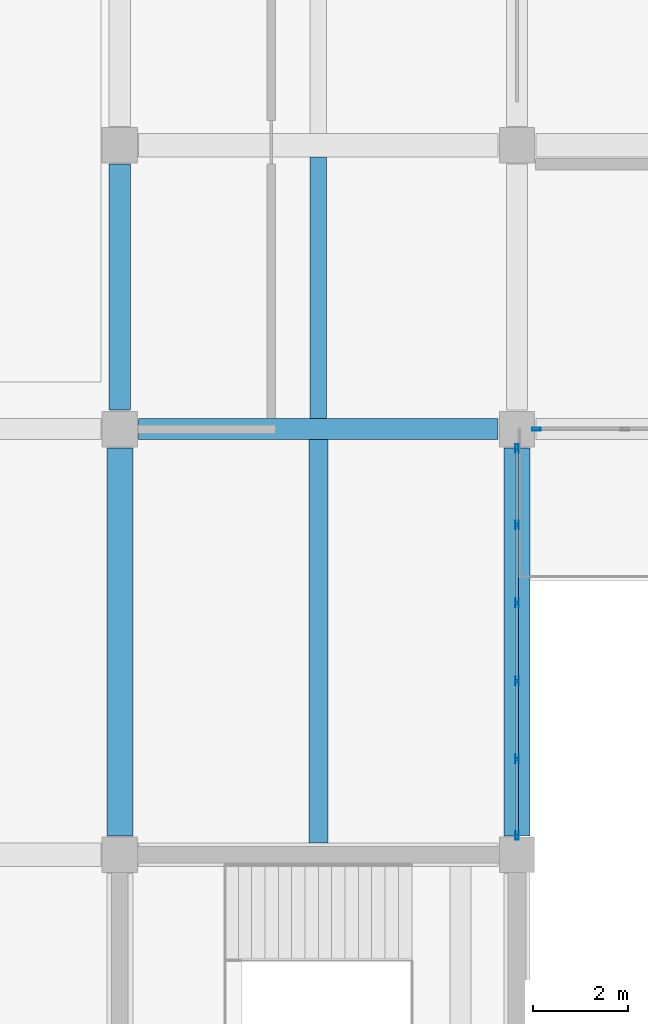
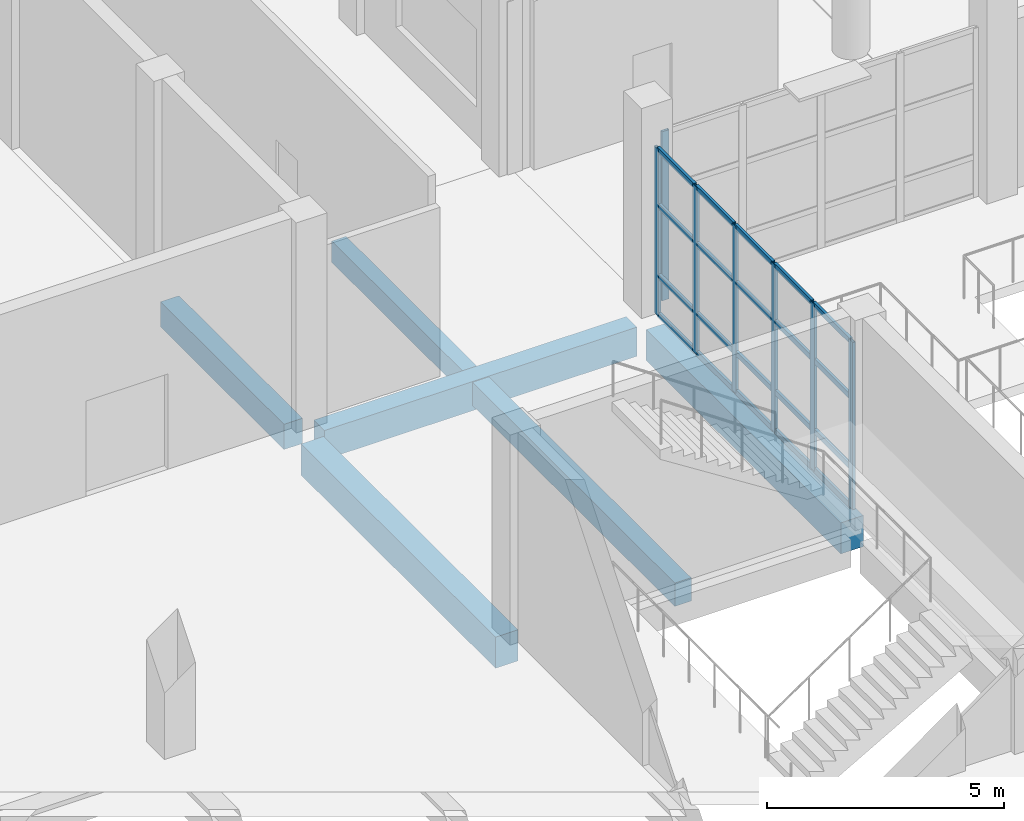
# One storey, part 10 of 78: 27 members, 6 beams, 2 elements without a shape of their own.
"""IFC4 building model written with IfcOpenShell, lengths in metres."""

from ifc_helpers import new_model, si_unit, direction, frame, origin, origin_2d, place, context, subcontext, project, spatial, rectangle, hollow_rectangle, extrude, material, material_profile, profile_set, type_object, element, aggregate, save


model = new_model("IFC4")

# Units and contexts
model_context = context("Model", 3, precision=1e-05, world=origin(), true_north=direction((0.0, 1.0)))
body_context = subcontext(model_context, "Body", "Model", "MODEL_VIEW")
ifc_project = project(units=[si_unit("LENGTHUNIT", "METRE"), si_unit("AREAUNIT", "SQUARE_METRE"), si_unit("VOLUMEUNIT", "CUBIC_METRE"), si_unit("PLANEANGLEUNIT", "RADIAN"), si_unit("MASSUNIT", "GRAM", prefix="KILO")], contexts=[model_context])

# Site, building, storey
site_placement = place(None, origin())
site = spatial("IfcSite", under=ifc_project, at=site_placement, CompositionType="ELEMENT")
building_placement = place(site_placement, origin())
building = spatial("IfcBuilding", under=site, at=building_placement, Name="Pellamere Symphony Hall", CompositionType="ELEMENT")
storey_placement = place(building_placement, origin())
storey = spatial("IfcBuildingStorey", under=building, at=storey_placement, Name="L00", CompositionType="ELEMENT", Elevation=0.0)

# Curtain wall, member
ifc_material_1 = material(Name="Thermally Broken Anodised Aluminium 6063-T6 Curtain Wall", Category="aluminium")
curtain_wall_type_1 = type_object("IfcCurtainWallType", Name="Curtain Wall CW-02 (Winter-Garden South Concourse Curtain Wall)", PredefinedType="NOTDEFINED", material=ifc_material_1)
curtain_wall_1_placement = place(storey_placement, origin())
curtain_wall_1 = element("IfcCurtainWall", 1, at=curtain_wall_1_placement, inside=storey, type_object=curtain_wall_type_1, Name="Winter-Garden South Curtain Wall (L00 Bay 1)", PredefinedType="NOTDEFINED")
ifc_material_2 = material(Name="Anodised Architectural Aluminium 6063-T6", Category="aluminium")
ifc_material_profile_1 = material_profile(ifc_material_2, hollow_rectangle(XDim=0.06494140625, YDim=0.179931640625, WallThickness=0.00390625, at=origin_2d()), Name="ALU-M65X180X4")
ifc_profile_set_1 = profile_set([ifc_material_profile_1], Name="Anodised Architectural Aluminium 6063-T6")
member_type_1 = type_object("IfcMemberType", Name="Curtain Wall Mullion ML-02 ALU-M65X180X4", PredefinedType="MULLION", material=ifc_profile_set_1)
member_1_placement = place(storey_placement, frame((42.407470703125, 18.0, 0.0), z_axis=(0.0, 0.0, 1.0), x_axis=(0.0, 1.0, 0.0)))
member_1 = element("IfcMember", 2, at=member_1_placement, type_object=member_type_1, Name="CW2-064 crystal mullion 1", PredefinedType="MULLION", context=body_context, shape_type="SweptSolid", body=[
    extrude(hollow_rectangle(XDim=0.06494140625, YDim=0.179931640625, WallThickness=0.00390625, at=origin_2d()), origin(), (0.0, 0.0, 1.0), 4.35009765625),
])
aggregate(curtain_wall_1, [member_1])

# Curtain wall, members
curtain_wall_type_2 = type_object("IfcCurtainWallType", Name="Curtain Wall CW-04 (Chamber Music Lobby Curtain Wall)", PredefinedType="NOTDEFINED", material=ifc_material_1)
curtain_wall_2_placement = place(storey_placement, origin())
curtain_wall_2 = element("IfcCurtainWall", 3, at=curtain_wall_2_placement, inside=storey, type_object=curtain_wall_type_2, Name="Chamber Forecourt East Curtain Wall (L00 Bay 1)", PredefinedType="NOTDEFINED")
member_2_placement = place(storey_placement, frame((42.0, 9.407470703125, 0.0), z_axis=(0.0, 0.0, 1.0), x_axis=(-1.0, 0.0, 0.0)))
member_2 = element("IfcMember", 4, at=member_2_placement, type_object=member_type_1, Name="CW4E-109 crystal mullion 1", PredefinedType="MULLION", context=body_context, shape_type="SweptSolid", body=[
    extrude(hollow_rectangle(XDim=0.06494140625, YDim=0.179931640625, WallThickness=0.00390625, at=origin_2d()), origin(), (0.0, 0.0, 1.0), 4.300048828125),
])
member_3_placement = place(storey_placement, frame((42.0, 11.02490234375, 0.0), z_axis=(0.0, 0.0, 1.0), x_axis=(-1.0, 0.0, 0.0)))
member_3 = element("IfcMember", 5, at=member_3_placement, type_object=member_type_1, Name="CW4E-109 crystal mullion 2", PredefinedType="MULLION", context=body_context, shape_type="SweptSolid", body=[
    extrude(hollow_rectangle(XDim=0.06494140625, YDim=0.179931640625, WallThickness=0.00390625, at=origin_2d()), origin(), (0.0, 0.0, 1.0), 4.300048828125),
])
member_4_placement = place(storey_placement, frame((42.0, 12.675048828125, 0.0), z_axis=(0.0, 0.0, 1.0), x_axis=(-1.0, 0.0, 0.0)))
member_4 = element("IfcMember", 6, at=member_4_placement, type_object=member_type_1, Name="CW4E-109 crystal mullion 3", PredefinedType="MULLION", context=body_context, shape_type="SweptSolid", body=[
    extrude(hollow_rectangle(XDim=0.06494140625, YDim=0.179931640625, WallThickness=0.00390625, at=origin_2d()), origin(), (0.0, 0.0, 1.0), 4.300048828125),
])
member_5_placement = place(storey_placement, frame((42.0, 14.324951171875, 0.0), z_axis=(0.0, 0.0, 1.0), x_axis=(-1.0, 0.0, 0.0)))
member_5 = element("IfcMember", 7, at=member_5_placement, type_object=member_type_1, Name="CW4E-109 crystal mullion 4", PredefinedType="MULLION", context=body_context, shape_type="SweptSolid", body=[
    extrude(hollow_rectangle(XDim=0.06494140625, YDim=0.179931640625, WallThickness=0.00390625, at=origin_2d()), origin(), (0.0, 0.0, 1.0), 4.300048828125),
])
member_6_placement = place(storey_placement, frame((42.0, 15.97509765625, 0.0), z_axis=(0.0, 0.0, 1.0), x_axis=(-1.0, 0.0, 0.0)))
member_6 = element("IfcMember", 8, at=member_6_placement, type_object=member_type_1, Name="CW4E-109 crystal mullion 5", PredefinedType="MULLION", context=body_context, shape_type="SweptSolid", body=[
    extrude(hollow_rectangle(XDim=0.06494140625, YDim=0.179931640625, WallThickness=0.00390625, at=origin_2d()), origin(), (0.0, 0.0, 1.0), 4.300048828125),
])
member_7_placement = place(storey_placement, frame((42.0, 17.592529296875, 0.0), z_axis=(0.0, 0.0, 1.0), x_axis=(-1.0, 0.0, 0.0)))
member_7 = element("IfcMember", 9, at=member_7_placement, type_object=member_type_1, Name="CW4E-109 crystal mullion 6", PredefinedType="MULLION", context=body_context, shape_type="SweptSolid", body=[
    extrude(hollow_rectangle(XDim=0.06494140625, YDim=0.179931640625, WallThickness=0.00390625, at=origin_2d()), origin(), (0.0, 0.0, 1.0), 4.300048828125),
])
ifc_material_profile_2 = material_profile(ifc_material_2, hollow_rectangle(XDim=0.06494140625, YDim=0.139892578125, WallThickness=0.00390625, at=origin_2d()), Name="ALU-T65X140X4")
ifc_profile_set_2 = profile_set([ifc_material_profile_2], Name="Anodised Architectural Aluminium 6063-T6")
member_type_2 = type_object("IfcMemberType", Name="Curtain Wall Transom TR-02 ALU-T65X140X4", PredefinedType="USERDEFINED", material=ifc_profile_set_2)
member_8_placement = place(storey_placement, frame((42.0, 9.43994140625, 0.032470703125), z_axis=(0.0, 1.0, 0.0), x_axis=(-1.0, 0.0, 0.0)))
member_8 = element("IfcMember", 10, at=member_8_placement, type_object=member_type_2, Name="CW4E-109 crystal transom 1.1", ObjectType="TRANSOM", PredefinedType="USERDEFINED", context=body_context, shape_type="SweptSolid", body=[
    extrude(hollow_rectangle(XDim=0.06494140625, YDim=0.139892578125, WallThickness=0.00390625, at=origin_2d()), origin(), (0.0, 0.0, 1.0), 1.552490234375),
])
member_9_placement = place(storey_placement, frame((42.0, 9.43994140625, 1.031982421875), z_axis=(0.0, 1.0, 0.0), x_axis=(-1.0, 0.0, 0.0)))
member_9 = element("IfcMember", 11, at=member_9_placement, type_object=member_type_2, Name="CW4E-109 crystal transom 1.2", ObjectType="TRANSOM", PredefinedType="USERDEFINED", context=body_context, shape_type="SweptSolid", body=[
    extrude(hollow_rectangle(XDim=0.06494140625, YDim=0.139892578125, WallThickness=0.00390625, at=origin_2d()), origin(), (0.0, 0.0, 1.0), 1.552490234375),
])
member_10_placement = place(storey_placement, frame((42.0, 9.43994140625, 2.837890625), z_axis=(0.0, 1.0, 0.0), x_axis=(-1.0, 0.0, 0.0)))
member_10 = element("IfcMember", 12, at=member_10_placement, type_object=member_type_2, Name="CW4E-109 crystal transom 1.3", ObjectType="TRANSOM", PredefinedType="USERDEFINED", context=body_context, shape_type="SweptSolid", body=[
    extrude(hollow_rectangle(XDim=0.06494140625, YDim=0.139892578125, WallThickness=0.00390625, at=origin_2d()), origin(), (0.0, 0.0, 1.0), 1.552490234375),
])
member_11_placement = place(storey_placement, frame((42.0, 9.43994140625, 4.267578125), z_axis=(0.0, 1.0, 0.0), x_axis=(-1.0, 0.0, 0.0)))
member_11 = element("IfcMember", 13, at=member_11_placement, type_object=member_type_2, Name="CW4E-109 crystal transom 1.4", ObjectType="TRANSOM", PredefinedType="USERDEFINED", context=body_context, shape_type="SweptSolid", body=[
    extrude(hollow_rectangle(XDim=0.06494140625, YDim=0.139892578125, WallThickness=0.00390625, at=origin_2d()), origin(), (0.0, 0.0, 1.0), 1.552490234375),
])
member_12_placement = place(storey_placement, frame((42.0, 11.0576171875, 0.032470703125), z_axis=(0.0, 1.0, 0.0), x_axis=(-1.0, 0.0, 0.0)))
member_12 = element("IfcMember", 14, at=member_12_placement, type_object=member_type_2, Name="CW4E-109 crystal transom 2.1", ObjectType="TRANSOM", PredefinedType="USERDEFINED", context=body_context, shape_type="SweptSolid", body=[
    extrude(hollow_rectangle(XDim=0.06494140625, YDim=0.139892578125, WallThickness=0.00390625, at=origin_2d()), origin(), (0.0, 0.0, 1.0), 1.5849609375),
])
member_13_placement = place(storey_placement, frame((42.0, 11.0576171875, 1.031982421875), z_axis=(0.0, 1.0, 0.0), x_axis=(-1.0, 0.0, 0.0)))
member_13 = element("IfcMember", 15, at=member_13_placement, type_object=member_type_2, Name="CW4E-109 crystal transom 2.2", ObjectType="TRANSOM", PredefinedType="USERDEFINED", context=body_context, shape_type="SweptSolid", body=[
    extrude(hollow_rectangle(XDim=0.06494140625, YDim=0.139892578125, WallThickness=0.00390625, at=origin_2d()), origin(), (0.0, 0.0, 1.0), 1.5849609375),
])
member_14_placement = place(storey_placement, frame((42.0, 11.0576171875, 2.837890625), z_axis=(0.0, 1.0, 0.0), x_axis=(-1.0, 0.0, 0.0)))
member_14 = element("IfcMember", 16, at=member_14_placement, type_object=member_type_2, Name="CW4E-109 crystal transom 2.3", ObjectType="TRANSOM", PredefinedType="USERDEFINED", context=body_context, shape_type="SweptSolid", body=[
    extrude(hollow_rectangle(XDim=0.06494140625, YDim=0.139892578125, WallThickness=0.00390625, at=origin_2d()), origin(), (0.0, 0.0, 1.0), 1.5849609375),
])
member_15_placement = place(storey_placement, frame((42.0, 11.0576171875, 4.267578125), z_axis=(0.0, 1.0, 0.0), x_axis=(-1.0, 0.0, 0.0)))
member_15 = element("IfcMember", 17, at=member_15_placement, type_object=member_type_2, Name="CW4E-109 crystal transom 2.4", ObjectType="TRANSOM", PredefinedType="USERDEFINED", context=body_context, shape_type="SweptSolid", body=[
    extrude(hollow_rectangle(XDim=0.06494140625, YDim=0.139892578125, WallThickness=0.00390625, at=origin_2d()), origin(), (0.0, 0.0, 1.0), 1.5849609375),
])
member_16_placement = place(storey_placement, frame((42.0, 12.70751953125, 0.032470703125), z_axis=(0.0, 1.0, 0.0), x_axis=(-1.0, 0.0, 0.0)))
member_16 = element("IfcMember", 18, at=member_16_placement, type_object=member_type_2, Name="CW4E-109 crystal transom 3.1", ObjectType="TRANSOM", PredefinedType="USERDEFINED", context=body_context, shape_type="SweptSolid", body=[
    extrude(hollow_rectangle(XDim=0.06494140625, YDim=0.139892578125, WallThickness=0.00390625, at=origin_2d()), origin(), (0.0, 0.0, 1.0), 1.5849609375),
])
member_17_placement = place(storey_placement, frame((42.0, 12.70751953125, 1.031982421875), z_axis=(0.0, 1.0, 0.0), x_axis=(-1.0, 0.0, 0.0)))
member_17 = element("IfcMember", 19, at=member_17_placement, type_object=member_type_2, Name="CW4E-109 crystal transom 3.2", ObjectType="TRANSOM", PredefinedType="USERDEFINED", context=body_context, shape_type="SweptSolid", body=[
    extrude(hollow_rectangle(XDim=0.06494140625, YDim=0.139892578125, WallThickness=0.00390625, at=origin_2d()), origin(), (0.0, 0.0, 1.0), 1.5849609375),
])
member_18_placement = place(storey_placement, frame((42.0, 12.70751953125, 2.837890625), z_axis=(0.0, 1.0, 0.0), x_axis=(-1.0, 0.0, 0.0)))
member_18 = element("IfcMember", 20, at=member_18_placement, type_object=member_type_2, Name="CW4E-109 crystal transom 3.3", ObjectType="TRANSOM", PredefinedType="USERDEFINED", context=body_context, shape_type="SweptSolid", body=[
    extrude(hollow_rectangle(XDim=0.06494140625, YDim=0.139892578125, WallThickness=0.00390625, at=origin_2d()), origin(), (0.0, 0.0, 1.0), 1.5849609375),
])
member_19_placement = place(storey_placement, frame((42.0, 12.70751953125, 4.267578125), z_axis=(0.0, 1.0, 0.0), x_axis=(-1.0, 0.0, 0.0)))
member_19 = element("IfcMember", 21, at=member_19_placement, type_object=member_type_2, Name="CW4E-109 crystal transom 3.4", ObjectType="TRANSOM", PredefinedType="USERDEFINED", context=body_context, shape_type="SweptSolid", body=[
    extrude(hollow_rectangle(XDim=0.06494140625, YDim=0.139892578125, WallThickness=0.00390625, at=origin_2d()), origin(), (0.0, 0.0, 1.0), 1.5849609375),
])
member_20_placement = place(storey_placement, frame((42.0, 14.357421875, 0.032470703125), z_axis=(0.0, 1.0, 0.0), x_axis=(-1.0, 0.0, 0.0)))
member_20 = element("IfcMember", 22, at=member_20_placement, type_object=member_type_2, Name="CW4E-109 crystal transom 4.1", ObjectType="TRANSOM", PredefinedType="USERDEFINED", context=body_context, shape_type="SweptSolid", body=[
    extrude(hollow_rectangle(XDim=0.06494140625, YDim=0.139892578125, WallThickness=0.00390625, at=origin_2d()), origin(), (0.0, 0.0, 1.0), 1.5849609375),
])
member_21_placement = place(storey_placement, frame((42.0, 14.357421875, 1.031982421875), z_axis=(0.0, 1.0, 0.0), x_axis=(-1.0, 0.0, 0.0)))
member_21 = element("IfcMember", 23, at=member_21_placement, type_object=member_type_2, Name="CW4E-109 crystal transom 4.2", ObjectType="TRANSOM", PredefinedType="USERDEFINED", context=body_context, shape_type="SweptSolid", body=[
    extrude(hollow_rectangle(XDim=0.06494140625, YDim=0.139892578125, WallThickness=0.00390625, at=origin_2d()), origin(), (0.0, 0.0, 1.0), 1.5849609375),
])
member_22_placement = place(storey_placement, frame((42.0, 14.357421875, 2.837890625), z_axis=(0.0, 1.0, 0.0), x_axis=(-1.0, 0.0, 0.0)))
member_22 = element("IfcMember", 24, at=member_22_placement, type_object=member_type_2, Name="CW4E-109 crystal transom 4.3", ObjectType="TRANSOM", PredefinedType="USERDEFINED", context=body_context, shape_type="SweptSolid", body=[
    extrude(hollow_rectangle(XDim=0.06494140625, YDim=0.139892578125, WallThickness=0.00390625, at=origin_2d()), origin(), (0.0, 0.0, 1.0), 1.5849609375),
])
member_23_placement = place(storey_placement, frame((42.0, 14.357421875, 4.267578125), z_axis=(0.0, 1.0, 0.0), x_axis=(-1.0, 0.0, 0.0)))
member_23 = element("IfcMember", 25, at=member_23_placement, type_object=member_type_2, Name="CW4E-109 crystal transom 4.4", ObjectType="TRANSOM", PredefinedType="USERDEFINED", context=body_context, shape_type="SweptSolid", body=[
    extrude(hollow_rectangle(XDim=0.06494140625, YDim=0.139892578125, WallThickness=0.00390625, at=origin_2d()), origin(), (0.0, 0.0, 1.0), 1.5849609375),
])
member_24_placement = place(storey_placement, frame((42.0, 16.007568359375, 0.032470703125), z_axis=(0.0, 1.0, 0.0), x_axis=(-1.0, 0.0, 0.0)))
member_24 = element("IfcMember", 26, at=member_24_placement, type_object=member_type_2, Name="CW4E-109 crystal transom 5.1", ObjectType="TRANSOM", PredefinedType="USERDEFINED", context=body_context, shape_type="SweptSolid", body=[
    extrude(hollow_rectangle(XDim=0.06494140625, YDim=0.139892578125, WallThickness=0.00390625, at=origin_2d()), origin(), (0.0, 0.0, 1.0), 1.552490234375),
])
member_25_placement = place(storey_placement, frame((42.0, 16.007568359375, 1.031982421875), z_axis=(0.0, 1.0, 0.0), x_axis=(-1.0, 0.0, 0.0)))
member_25 = element("IfcMember", 27, at=member_25_placement, type_object=member_type_2, Name="CW4E-109 crystal transom 5.2", ObjectType="TRANSOM", PredefinedType="USERDEFINED", context=body_context, shape_type="SweptSolid", body=[
    extrude(hollow_rectangle(XDim=0.06494140625, YDim=0.139892578125, WallThickness=0.00390625, at=origin_2d()), origin(), (0.0, 0.0, 1.0), 1.552490234375),
])
member_26_placement = place(storey_placement, frame((42.0, 16.007568359375, 2.837890625), z_axis=(0.0, 1.0, 0.0), x_axis=(-1.0, 0.0, 0.0)))
member_26 = element("IfcMember", 28, at=member_26_placement, type_object=member_type_2, Name="CW4E-109 crystal transom 5.3", ObjectType="TRANSOM", PredefinedType="USERDEFINED", context=body_context, shape_type="SweptSolid", body=[
    extrude(hollow_rectangle(XDim=0.06494140625, YDim=0.139892578125, WallThickness=0.00390625, at=origin_2d()), origin(), (0.0, 0.0, 1.0), 1.552490234375),
])
member_27_placement = place(storey_placement, frame((42.0, 16.007568359375, 4.267578125), z_axis=(0.0, 1.0, 0.0), x_axis=(-1.0, 0.0, 0.0)))
member_27 = element("IfcMember", 29, at=member_27_placement, type_object=member_type_2, Name="CW4E-109 crystal transom 5.4", ObjectType="TRANSOM", PredefinedType="USERDEFINED", context=body_context, shape_type="SweptSolid", body=[
    extrude(hollow_rectangle(XDim=0.06494140625, YDim=0.139892578125, WallThickness=0.00390625, at=origin_2d()), origin(), (0.0, 0.0, 1.0), 1.552490234375),
])
aggregate(curtain_wall_2, [member_2, member_3, member_4, member_5, member_6, member_7, member_8, member_9, member_10, member_11, member_12, member_13, member_14, member_15, member_16, member_17, member_18, member_19, member_20, member_21, member_22, member_23, member_24, member_25, member_26, member_27])

# Beams
ifc_material_3 = material(Name="Concrete 40 MPa", Category="concrete")
ifc_material_profile_3 = material_profile(ifc_material_3, rectangle(XDim=0.550048828125, YDim=0.800048828125, at=origin_2d()), Name="RC 550x800")
ifc_profile_set_3 = profile_set([ifc_material_profile_3], Name="Concrete 40 MPa")
beam_type_1 = type_object("IfcBeamType", Name="RC CB-05 550x800", PredefinedType="BEAM", material=ifc_profile_set_3)
for number, where, z_axis, x_axis, name in (
    (30, (33.60009765625, 9.39990234375, -0.699951171875), (0.0, 1.0, 0.0), (-1.0, 0.0, 0.0), "Girder CB-05-Y0220 (L00)"),
    (31, (42.0, 9.39990234375, -0.699951171875), (0.0, 1.0, 0.0), (-1.0, 0.0, 0.0), "Girder CB-05-Y0227 (L00)"),
):
    element("IfcBeam", number, at=place(storey_placement, frame(where, z_axis=z_axis, x_axis=x_axis)), inside=storey, type_object=beam_type_1, Name=name, PredefinedType="BEAM", context=body_context, shape_type="SweptSolid", body=[
        extrude(rectangle(XDim=0.550048828125, YDim=0.800048828125, at=origin_2d()), origin(), (0.0, 0.0, 1.0), 8.2001953125),
    ])
ifc_material_profile_4 = material_profile(ifc_material_3, rectangle(XDim=0.449951171875, YDim=0.64990234375, at=origin_2d()), Name="RC 450x650")
ifc_profile_set_4 = profile_set([ifc_material_profile_4], Name="Concrete 40 MPa")
beam_type_2 = type_object("IfcBeamType", Name="RC CB-08 450x650", PredefinedType="BEAM", material=ifc_profile_set_4)
beam_1_placement = place(storey_placement, frame((33.60009765625, 18.39990234375, -0.625), z_axis=(0.0, 1.0, 0.0), x_axis=(-1.0, 0.0, 0.0)))
element("IfcBeam", 32, at=beam_1_placement, inside=storey, type_object=beam_type_2, Name="Girder CB-08-Y0221 (L00)", PredefinedType="BEAM", context=body_context, shape_type="SweptSolid", body=[
    extrude(rectangle(XDim=0.449951171875, YDim=0.64990234375, at=origin_2d()), origin(), (0.0, 0.0, 1.0), 5.2001953125),
])
ifc_material_profile_5 = material_profile(ifc_material_3, rectangle(XDim=0.39990234375, YDim=0.60009765625, at=origin_2d()), Name="RC 400x600")
ifc_profile_set_5 = profile_set([ifc_material_profile_5], Name="Concrete 40 MPa")
beam_type_3 = type_object("IfcBeamType", Name="RC CB-09 400x600", PredefinedType="BEAM", material=ifc_profile_set_5)
beam_2_placement = place(storey_placement, frame((37.800048828125, 9.25, -0.614990234375), z_axis=(0.0, 1.0, 0.0), x_axis=(-1.0, 0.0, 0.0)))
element("IfcBeam", 33, at=beam_2_placement, inside=storey, type_object=beam_type_3, Name="Secondary Floor Beam CB-09-M0401 (L00)", PredefinedType="BEAM", context=body_context, shape_type="SweptSolid", body=[
    extrude(rectangle(XDim=0.39990234375, YDim=0.60009765625, at=origin_2d()), origin(), (0.0, 0.0, 1.0), 8.52490234375),
])
ifc_material_4 = material(Name="Concrete 35 MPa", Category="concrete")
ifc_material_profile_6 = material_profile(ifc_material_4, rectangle(XDim=0.35009765625, YDim=0.550048828125, at=origin_2d()), Name="RC 350x550")
ifc_profile_set_6 = profile_set([ifc_material_profile_6], Name="Concrete 35 MPa")
beam_type_4 = type_object("IfcBeamType", Name="RC CB-10 350x550", PredefinedType="BEAM", material=ifc_profile_set_6)
beam_3_placement = place(storey_placement, frame((37.800048828125, 18.22509765625, -0.590087890625), z_axis=(0.0, 1.0, 0.0), x_axis=(-1.0, 0.0, 0.0)))
element("IfcBeam", 34, at=beam_3_placement, inside=storey, type_object=beam_type_4, Name="Secondary Floor Beam CB-10-M0402 (L00)", PredefinedType="BEAM", context=body_context, shape_type="SweptSolid", body=[
    extrude(rectangle(XDim=0.35009765625, YDim=0.550048828125, at=origin_2d()), origin(), (0.0, 0.0, 1.0), 5.52490234375),
])
ifc_material_profile_7 = material_profile(ifc_material_3, rectangle(XDim=0.449951171875, YDim=0.75, at=origin_2d()), Name="RC 450x750")
ifc_profile_set_7 = profile_set([ifc_material_profile_7], Name="Concrete 40 MPa")
beam_type_5 = type_object("IfcBeamType", Name="RC CB-12 450x750", PredefinedType="SPANDREL", material=ifc_profile_set_7)
beam_4_placement = place(storey_placement, frame((34.0, 18.0, -0.675048828125), z_axis=(1.0, 0.0, 0.0), x_axis=(0.0, 1.0, 0.0)))
element("IfcBeam", 35, at=beam_4_placement, inside=storey, type_object=beam_type_5, Name="Girder CB-12-X0015 (L00)", PredefinedType="SPANDREL", context=body_context, shape_type="SweptSolid", body=[
    extrude(rectangle(XDim=0.449951171875, YDim=0.75, at=origin_2d()), origin(), (0.0, 0.0, 1.0), 7.60009765625),
])

save(model, "model.ifc")
